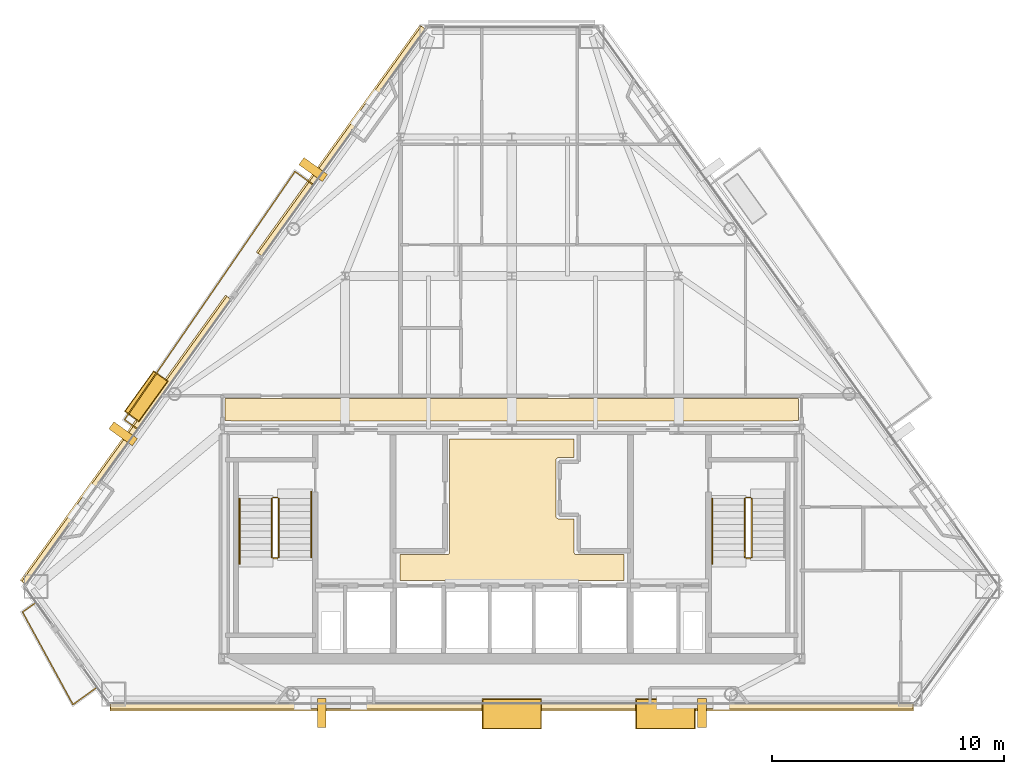
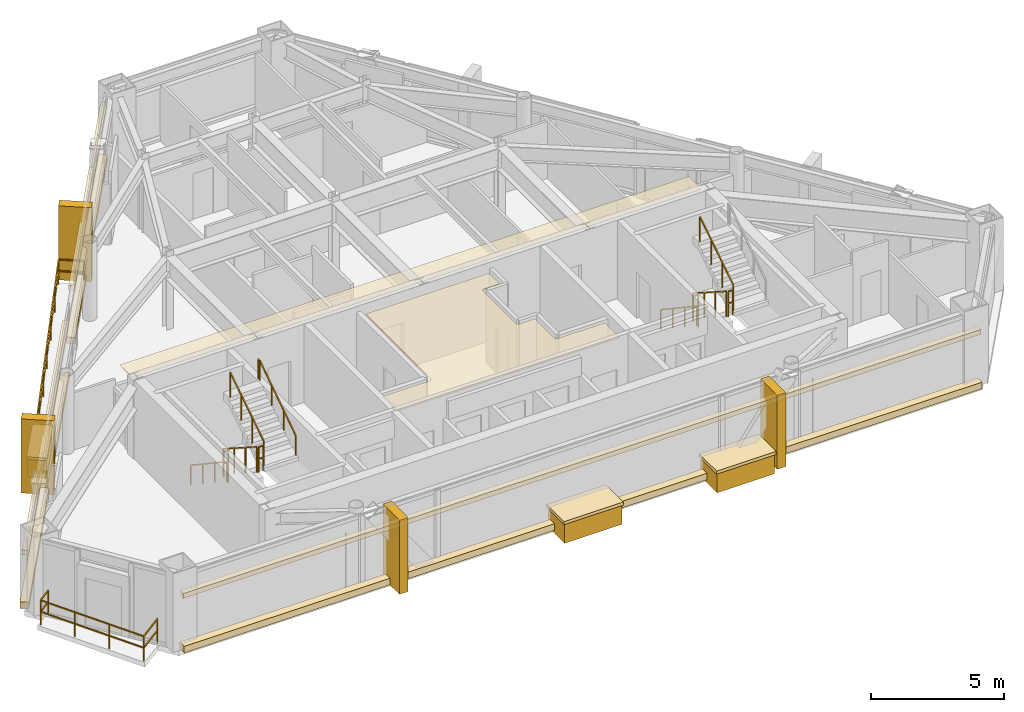
# One storey, part 10 of 11: 18 coverings, 13 railings.
"""IFC4 building model written with IfcOpenShell, lengths in metres."""

from ifc_helpers import new_model, si_unit, direction, frame, origin, origin_2d, place, context, subcontext, project, spatial, polyline, rectangle, outline, extrude, material, layer, layer_set, type_object, element, save


model = new_model("IFC4")

# Units and contexts
model_context = context("Model", 3, precision=1e-05, world=origin(), true_north=direction((0.0, 1.0)))
body_context = subcontext(model_context, "Body", "Model", "MODEL_VIEW")
ifc_project = project(units=[si_unit("LENGTHUNIT", "METRE"), si_unit("AREAUNIT", "SQUARE_METRE"), si_unit("VOLUMEUNIT", "CUBIC_METRE"), si_unit("PLANEANGLEUNIT", "RADIAN"), si_unit("MASSUNIT", "GRAM", prefix="KILO")], contexts=[model_context])

# Site, building, storey
site_placement = place(None, origin())
site = spatial("IfcSite", under=ifc_project, at=site_placement, CompositionType="ELEMENT")
building_placement = place(site_placement, origin())
building = spatial("IfcBuilding", under=site, at=building_placement, Name="Talgorran Terracotta Tower", CompositionType="ELEMENT")
storey_placement = place(building_placement, frame((0.0, 0.0, 196.5)))
storey = spatial("IfcBuildingStorey", under=building, at=storey_placement, Name="L51", CompositionType="ELEMENT", Elevation=196.5)

# Coverings
ifc_material_1 = material(Name="Kiln-Fired Terracotta Ochre Ceramic", Category="masonry")
ifc_layer_1 = layer(ifc_material_1, 0.179931640625, Name="COV_BAGUETTE_TERRACOTTA_SCREEN")
ifc_layer_set_1 = layer_set([ifc_layer_1], Name="Kiln-Fired Terracotta Ochre Ceramic")
covering_type_1 = type_object("IfcCoveringType", Name="COV_BAGUETTE_TERRACOTTA_SCREEN", PredefinedType="CLADDING", material=ifc_layer_set_1)
covering_1_placement = place(storey_placement, frame((0.0, -16.14111328125, 2.41015625), z_axis=(0.0, 0.0, 1.0), x_axis=(1.0, 0.0, 0.0)))
element("IfcCovering", 1, at=covering_1_placement, inside=storey, type_object=covering_type_1, Name="L51 Terracotta Baguette Solar Screen Assembly F1", PredefinedType="CLADDING", context=body_context, shape_type="SweptSolid", body=[
    extrude(rectangle(XDim=34.62939453125, YDim=0.260009765625, at=origin_2d()), origin(), (0.0, 0.0, 1.0), 0.219970703125),
])
covering_2_placement = place(storey_placement, frame((-7.324951171875, 8.21142578125, 2.41015625), z_axis=(0.0, 0.0, 1.0), x_axis=(-0.583980505394, -0.811767681864, 0.0)))
element("IfcCovering", 2, at=covering_2_placement, inside=storey, type_object=covering_type_1, Name="L51 Terracotta Baguette Solar Screen Assembly F60", PredefinedType="CLADDING", context=body_context, shape_type="SweptSolid", body=[
    extrude(rectangle(XDim=12.0634765625, YDim=0.260009765625, at=origin_2d()), origin(), (0.0, 0.0, 1.0), 0.219970703125),
])
covering_3_placement = place(storey_placement, frame((-16.6123046875, -4.6982421875, 2.41015625), z_axis=(0.0, 0.0, 1.0), x_axis=(-0.583980505394, -0.811767681864, 0.0)))
element("IfcCovering", 3, at=covering_3_placement, inside=storey, type_object=covering_type_1, Name="L51 Terracotta Baguette Solar Screen Assembly F61", PredefinedType="CLADDING", context=body_context, shape_type="SweptSolid", body=[
    extrude(rectangle(XDim=15.142822265625, YDim=0.260009765625, at=origin_2d()), origin(), (0.0, 0.0, 1.0), 0.219970703125),
])
ifc_material_2 = material(Name="Mineral Fibre Acoustic Tile")
ifc_layer_2 = layer(ifc_material_2, 0.02490234375, Name="COV_CEIL_ACOUSTIC")
ifc_layer_set_2 = layer_set([ifc_layer_2], Name="Mineral Fibre Acoustic Tile")
covering_type_2 = type_object("IfcCoveringType", Name="COV_CEIL_ACOUSTIC", PredefinedType="CEILING", material=ifc_layer_set_2)
covering_4_placement = place(storey_placement, frame((0.0, 0.0, 3.260009765625)))
element("IfcCovering", 4, at=covering_4_placement, inside=storey, type_object=covering_type_2, Name="CEIL-L51-2", PredefinedType="CEILING", context=body_context, shape_type="SweptSolid", body=[
    extrude(outline(polyline([(-12.364990234375, -2.885009765625), (12.364990234375, -2.885009765625), (12.364990234375, -3.830078125), (12.169921875, -3.830078125), (12.158203125, -3.83056640625), (12.146484375, -3.832275390625), (12.13525390625, -3.835205078125), (12.1240234375, -3.839111328125), (12.11328125, -3.84423828125), (12.112060546875, -3.844970703125), (7.432861328125, -3.844970703125), (6.968017578125, -3.843017578125), (6.967529296875, -3.843017578125), (0.232666015625, -3.844970703125), (-0.23193359375, -3.843017578125), (-0.232421875, -3.843017578125), (-6.96728515625, -3.844970703125), (-7.431884765625, -3.843017578125), (-7.4326171875, -3.843017578125), (-12.112060546875, -3.844970703125), (-12.11328125, -3.84423828125), (-12.1240234375, -3.839111328125), (-12.13525390625, -3.835205078125), (-12.146484375, -3.832275390625), (-12.158203125, -3.83056640625), (-12.169921875, -3.830078125), (-12.364990234375, -3.830078125), (-12.364990234375, -2.885009765625)])), origin(), (0.0, 0.0, 1.0), 0.02001953125),
])
ifc_material_3 = material(Name="Flush Moisture-Resistant Plaster")
ifc_layer_3 = layer(ifc_material_3, 0.01806640625, Name="COV_CEIL_PLASTER")
ifc_layer_set_3 = layer_set([ifc_layer_3], Name="Flush Moisture-Resistant Plaster")
covering_type_3 = type_object("IfcCoveringType", Name="COV_CEIL_PLASTER", PredefinedType="CEILING", material=ifc_layer_set_3)
covering_5_placement = place(storey_placement, frame((0.0, 0.0, 3.260009765625)))
element("IfcCovering", 5, at=covering_5_placement, inside=storey, type_object=covering_type_3, Name="CEIL-L51-1", PredefinedType="CEILING", context=body_context, shape_type="SweptSolid", body=[
    extrude(outline(polyline([(4.830078125, -9.6201171875), (4.830078125, -10.72998046875), (-4.830078125, -10.72998046875), (-4.830078125, -9.6201171875), (-2.800048828125, -9.6201171875), (-2.7880859375, -9.619384765625), (-2.776611328125, -9.61767578125), (-2.76513671875, -9.61474609375), (-2.754150390625, -9.61083984375), (-2.743408203125, -9.605712890625), (-2.7333984375, -9.599853515625), (-2.723876953125, -9.5927734375), (-2.715087890625, -9.5849609375), (-2.707275390625, -9.576171875), (-2.7001953125, -9.566650390625), (-2.694091796875, -9.556640625), (-2.689208984375, -9.5458984375), (-2.685302734375, -9.534912109375), (-2.682373046875, -9.5234375), (-2.6806640625, -9.51171875), (-2.679931640625, -9.5), (-2.679931640625, -4.6201171875), (2.679931640625, -4.6201171875), (2.679931640625, -5.429931640625), (2.02001953125, -5.429931640625), (2.00830078125, -5.4306640625), (1.99658203125, -5.432373046875), (1.985107421875, -5.435302734375), (1.97412109375, -5.439208984375), (1.96337890625, -5.444091796875), (1.953369140625, -5.4501953125), (1.94384765625, -5.457275390625), (1.93505859375, -5.465087890625), (1.92724609375, -5.473876953125), (1.920166015625, -5.4833984375), (1.914306640625, -5.493408203125), (1.9091796875, -5.504150390625), (1.9052734375, -5.51513671875), (1.90234375, -5.526611328125), (1.900634765625, -5.5380859375), (1.89990234375, -5.550048828125), (1.89990234375, -7.949951171875), (1.900634765625, -7.9619140625), (1.90234375, -7.973388671875), (1.9052734375, -7.98486328125), (1.9091796875, -7.995849609375), (1.914306640625, -8.006591796875), (1.920166015625, -8.0166015625), (1.92724609375, -8.026123046875), (1.93505859375, -8.034912109375), (1.94384765625, -8.042724609375), (1.953369140625, -8.0498046875), (1.96337890625, -8.055908203125), (1.97412109375, -8.060791015625), (1.985107421875, -8.064697265625), (1.99658203125, -8.067626953125), (2.00830078125, -8.0693359375), (2.02001953125, -8.070068359375), (2.679931640625, -8.070068359375), (2.679931640625, -9.5), (2.6806640625, -9.51171875), (2.682373046875, -9.5234375), (2.685302734375, -9.534912109375), (2.689208984375, -9.5458984375), (2.694091796875, -9.556640625), (2.7001953125, -9.566650390625), (2.707275390625, -9.576171875), (2.715087890625, -9.5849609375), (2.723876953125, -9.5927734375), (2.7333984375, -9.599853515625), (2.743408203125, -9.605712890625), (2.754150390625, -9.61083984375), (2.76513671875, -9.61474609375), (2.776611328125, -9.61767578125), (2.7880859375, -9.619384765625), (2.800048828125, -9.6201171875), (4.830078125, -9.6201171875)])), origin(), (0.0, 0.0, 1.0), 0.02001953125),
])
ifc_material_4 = material(Name="Honed Limestone and Terracotta Planter", Category="masonry")
ifc_layer_4 = layer(ifc_material_4, 0.1201171875, Name="COV_PLANTER_BOX")
ifc_layer_set_4 = layer_set([ifc_layer_4], Name="Honed Limestone and Terracotta Planter")
covering_type_4 = type_object("IfcCoveringType", Name="COV_PLANTER_BOX", PredefinedType="CLADDING", material=ifc_layer_set_4)
for number, where, z_axis, x_axis, name in (
    (6, (0.0, -16.481201171875, -0.179931640625), (0.0, 0.0, 1.0), (1.0, 0.0, 0.0), "L51 Staggered South Facade Planter Box 1"),
    (7, (6.629638671875, -16.481201171875, -0.179931640625), (0.0, 0.0, 1.0), (1.0, 0.0, 0.0), "L51 Staggered South Facade Planter Box 2"),
):
    element("IfcCovering", number, at=place(storey_placement, frame(where, z_axis=z_axis, x_axis=x_axis)), inside=storey, type_object=covering_type_4, Name=name, PredefinedType="CLADDING", context=body_context, shape_type="SweptSolid", body=[
        extrude(rectangle(XDim=2.5, YDim=1.25, at=origin_2d()), origin(), (0.0, 0.0, 1.0), 0.919921875),
    ])
covering_6_placement = place(storey_placement, frame((-15.77001953125, -2.782470703125, -0.02001953125), z_axis=(0.0, 0.0, 1.0), x_axis=(-0.583980505394, -0.811767681864, 0.0)))
element("IfcCovering", 8, at=covering_6_placement, inside=storey, type_object=covering_type_4, Name="L51 Staggered Balcony Planter Box BAL-NW", PredefinedType="CLADDING", context=body_context, shape_type="SweptSolid", body=[
    extrude(rectangle(XDim=2.10009765625, YDim=0.719970703125, at=origin_2d()), origin(), (0.0, 0.0, 1.0), 0.860107421875),
])
ifc_material_5 = material(Name="Kiln-Fired Terracotta Planter Rim", Category="masonry")
ifc_layer_5 = layer(ifc_material_5, 0.10009765625, Name="COV_PLANTER_RIM")
ifc_layer_set_5 = layer_set([ifc_layer_5], Name="Kiln-Fired Terracotta Planter Rim")
covering_type_5 = type_object("IfcCoveringType", Name="COV_PLANTER_RIM", PredefinedType="CLADDING", material=ifc_layer_set_5)
for number, where, z_axis, x_axis, name in (
    (9, (0.0, -16.481201171875, 0.7099609375), (0.0, 0.0, 1.0), (1.0, 0.0, 0.0), "L51 South Planter Terracotta Rim 1"),
    (10, (6.629638671875, -16.481201171875, 0.7099609375), (0.0, 0.0, 1.0), (1.0, 0.0, 0.0), "L51 South Planter Terracotta Rim 2"),
):
    element("IfcCovering", number, at=place(storey_placement, frame(where, z_axis=z_axis, x_axis=x_axis)), inside=storey, type_object=covering_type_5, Name=name, PredefinedType="CLADDING", context=body_context, shape_type="SweptSolid", body=[
        extrude(rectangle(XDim=2.580078125, YDim=1.320068359375, at=origin_2d()), origin(), (0.0, 0.0, 1.0), 0.139892578125),
    ])
covering_7_placement = place(storey_placement, frame((-15.77001953125, -2.782470703125, 0.800048828125), z_axis=(0.0, 0.0, 1.0), x_axis=(-0.583980505394, -0.811767681864, 0.0)))
element("IfcCovering", 11, at=covering_7_placement, inside=storey, type_object=covering_type_5, Name="L51 Balcony Planter Terracotta Rim BAL-NW", PredefinedType="CLADDING", context=body_context, shape_type="SweptSolid", body=[
    extrude(rectangle(XDim=2.179931640625, YDim=0.780029296875, at=origin_2d()), origin(), (0.0, 0.0, 1.0), 0.1201171875),
])
ifc_material_6 = material(Name="Honed Limestone Cladding", Category="masonry")
ifc_layer_6 = layer(ifc_material_6, 0.094970703125, Name="COV_PORTAL_LIME")
ifc_layer_set_6 = layer_set([ifc_layer_6], Name="Honed Limestone Cladding")
covering_type_6 = type_object("IfcCoveringType", Name="COV_PORTAL_LIME", PredefinedType="CLADDING", material=ifc_layer_set_6)
for number, where, z_axis, x_axis, name in (
    (12, (-8.19970703125, -16.441162109375, -0.050048828125), (0.0, 0.0, 1.0), (1.0, 0.0, 0.0), "L51 White Striped Portal Fin F1-1"),
    (13, (-8.569091796875, 6.995849609375, -0.050048828125), (0.0, 0.0, 1.0), (-0.583980505394, -0.811767681864, 0.0), "L51 White Striped Portal Fin F5-1"),
):
    element("IfcCovering", number, at=place(storey_placement, frame(where, z_axis=z_axis, x_axis=x_axis)), inside=storey, type_object=covering_type_6, Name=name, PredefinedType="CLADDING", context=body_context, shape_type="SweptSolid", body=[
        extrude(rectangle(XDim=0.3798828125, YDim=1.25, at=origin_2d()), origin(), (0.0, 0.0, 1.0), 3.39990234375),
    ])
ifc_material_7 = material(Name="Kiln-Fired Terracotta Cladding", Category="masonry")
ifc_layer_7 = layer(ifc_material_7, 0.090087890625, Name="COV_PORTAL_TERRA")
ifc_layer_set_7 = layer_set([ifc_layer_7], Name="Kiln-Fired Terracotta Cladding")
covering_type_7 = type_object("IfcCoveringType", Name="COV_PORTAL_TERRA", PredefinedType="CLADDING", material=ifc_layer_set_7)
covering_8_placement = place(storey_placement, frame((0.0, -16.18115234375, -0.0400390625), z_axis=(0.0, 0.0, 1.0), x_axis=(1.0, 0.0, 0.0)))
element("IfcCovering", 14, at=covering_8_placement, inside=storey, type_object=covering_type_7, Name="L51 Striped Postmodern Portal Cladding Band F1", PredefinedType="CLADDING", context=body_context, shape_type="SweptSolid", body=[
    extrude(rectangle(XDim=34.6494140625, YDim=0.340087890625, at=origin_2d()), origin(), (0.0, 0.0, 1.0), 0.300048828125),
])
covering_9_placement = place(storey_placement, frame((-7.357421875, 8.23486328125, -0.0400390625), z_axis=(0.0, 0.0, 1.0), x_axis=(-0.583980505394, -0.811767681864, 0.0)))
element("IfcCovering", 15, at=covering_9_placement, inside=storey, type_object=covering_type_7, Name="L51 Striped Postmodern Portal Cladding Band F60", PredefinedType="CLADDING", context=body_context, shape_type="SweptSolid", body=[
    extrude(rectangle(XDim=12.08349609375, YDim=0.340087890625, at=origin_2d()), origin(), (0.0, 0.0, 1.0), 0.300048828125),
])
covering_10_placement = place(storey_placement, frame((-16.644775390625, -4.6748046875, -0.0400390625), z_axis=(0.0, 0.0, 1.0), x_axis=(-0.583980505394, -0.811767681864, 0.0)))
element("IfcCovering", 16, at=covering_10_placement, inside=storey, type_object=covering_type_7, Name="L51 Striped Postmodern Portal Cladding Band F61", PredefinedType="CLADDING", context=body_context, shape_type="SweptSolid", body=[
    extrude(rectangle(XDim=15.162841796875, YDim=0.340087890625, at=origin_2d()), origin(), (0.0, 0.0, 1.0), 0.300048828125),
])
for number, where, z_axis, x_axis, name in (
    (17, (8.19970703125, -16.441162109375, -0.050048828125), (0.0, 0.0, 1.0), (1.0, 0.0, 0.0), "L51 Terracotta Striped Portal Fin F1-2"),
    (18, (-16.768798828125, -4.402099609375, -0.050048828125), (0.0, 0.0, 1.0), (-0.583980505394, -0.811767681864, 0.0), "L51 Terracotta Striped Portal Fin F5-2"),
):
    element("IfcCovering", number, at=place(storey_placement, frame(where, z_axis=z_axis, x_axis=x_axis)), inside=storey, type_object=covering_type_7, Name=name, PredefinedType="CLADDING", context=body_context, shape_type="SweptSolid", body=[
        extrude(rectangle(XDim=0.3798828125, YDim=1.25, at=origin_2d()), origin(), (0.0, 0.0, 1.0), 3.39990234375),
    ])

# Railings
ifc_material_8 = material(Name="Laminated Glass and Stainless Steel 316", Category="steel")
railing_type_1 = type_object("IfcRailingType", Name="RL_BALCONY_1150", PredefinedType="BALUSTRADE", material=ifc_material_8)
railing_1_placement = place(storey_placement, frame((-8.569091796875, 6.34521484375, 0.0)))
element("IfcRailing", 19, at=railing_1_placement, inside=storey, type_object=railing_type_1, Name="RL-L51-BAL-BAL-NW", PredefinedType="BALUSTRADE", context=body_context, shape_type="SweptSolid", body=[
    extrude(rectangle(XDim=0.048095703125, YDim=0.048095703125, at=origin_2d()), frame((0.0, 0.0, 1.1259765625), z_axis=(-0.811682670639, 0.58409865792, 0.0), x_axis=(-0.58409865792, -0.811682670639, 0.0)), (0.0, 0.0, 1.0), 0.967529296875),
    extrude(rectangle(XDim=0.048095703125, YDim=0.048095703125, at=origin_2d()), frame((0.0, 0.0, 0.597900390625), z_axis=(-0.811682670639, 0.58409865792, 0.0), x_axis=(-0.58409865792, -0.811682670639, 0.0)), (0.0, 0.0, 1.0), 0.967529296875),
    extrude(rectangle(XDim=0.048095703125, YDim=0.048095703125, at=origin_2d()), frame((-0.785400390625, 0.565185546875, 1.1259765625), z_axis=(-0.566164184219, -0.824292494511, 0.0), x_axis=(0.824292494511, -0.566164184219, 0.0)), (0.0, 0.0, 1.0), 12.98779296875),
    extrude(rectangle(XDim=0.048095703125, YDim=0.048095703125, at=origin_2d()), frame((-0.785400390625, 0.565185546875, 0.597900390625), z_axis=(-0.566164184219, -0.824292494511, 0.0), x_axis=(0.824292494511, -0.566164184219, 0.0)), (0.0, 0.0, 1.0), 12.98779296875),
    extrude(rectangle(XDim=0.048095703125, YDim=0.048095703125, at=origin_2d()), frame((-8.138671875, -10.140625, 1.1259765625), z_axis=(0.811777705944, -0.583966571074, 0.0), x_axis=(0.583966571074, 0.811777705944, 0.0)), (0.0, 0.0, 1.0), 0.684814453125),
    extrude(rectangle(XDim=0.048095703125, YDim=0.048095703125, at=origin_2d()), frame((-8.138671875, -10.140625, 0.597900390625), z_axis=(0.811777705944, -0.583966571074, 0.0), x_axis=(0.583966571074, 0.811777705944, 0.0)), (0.0, 0.0, 1.0), 0.684814453125),
    extrude(rectangle(XDim=0.0419921875, YDim=0.0419921875, at=origin_2d()), origin(), (0.0, 0.0, 1.0), 1.101806640625),
    extrude(rectangle(XDim=0.0419921875, YDim=0.0419921875, at=origin_2d()), frame((-0.785400390625, 0.565185546875, 0.0)), (0.0, 0.0, 1.0), 1.101806640625),
    extrude(rectangle(XDim=0.0419921875, YDim=0.0419921875, at=origin_2d()), frame((-1.8359375, -0.964111328125, 0.0)), (0.0, 0.0, 1.0), 1.101806640625),
    extrude(rectangle(XDim=0.0419921875, YDim=0.0419921875, at=origin_2d()), frame((-2.88623046875, -2.49365234375, 0.0)), (0.0, 0.0, 1.0), 1.101806640625),
    extrude(rectangle(XDim=0.0419921875, YDim=0.0419921875, at=origin_2d()), frame((-3.936767578125, -4.02294921875, 0.0)), (0.0, 0.0, 1.0), 1.101806640625),
    extrude(rectangle(XDim=0.0419921875, YDim=0.0419921875, at=origin_2d()), frame((-4.9873046875, -5.552490234375, 0.0)), (0.0, 0.0, 1.0), 1.101806640625),
    extrude(rectangle(XDim=0.0419921875, YDim=0.0419921875, at=origin_2d()), frame((-6.037841796875, -7.081787109375, 0.0)), (0.0, 0.0, 1.0), 1.101806640625),
    extrude(rectangle(XDim=0.0419921875, YDim=0.0419921875, at=origin_2d()), frame((-7.088134765625, -8.611328125, 0.0)), (0.0, 0.0, 1.0), 1.101806640625),
    extrude(rectangle(XDim=0.0419921875, YDim=0.0419921875, at=origin_2d()), frame((-8.138671875, -10.140625, 0.0)), (0.0, 0.0, 1.0), 1.101806640625),
    extrude(rectangle(XDim=0.0419921875, YDim=0.0419921875, at=origin_2d()), frame((-7.582763671875, -10.54052734375, 0.0)), (0.0, 0.0, 1.0), 1.101806640625),
])
railing_2_placement = place(storey_placement, frame((-20.540283203125, -11.688720703125, 0.0)))
element("IfcRailing", 20, at=railing_2_placement, inside=storey, type_object=railing_type_1, Name="RL-L51-BAL-BAL-SW", PredefinedType="BALUSTRADE", context=body_context, shape_type="SweptSolid", body=[
    extrude(rectangle(XDim=0.048095703125, YDim=0.048095703125, at=origin_2d()), frame((0.0, 0.0, 1.1259765625), z_axis=(-0.811906374981, -0.583787665394, 0.0), x_axis=(0.583787665394, -0.811906374981, 0.0)), (0.0, 0.0, 1.0), 0.69677734375),
    extrude(rectangle(XDim=0.048095703125, YDim=0.048095703125, at=origin_2d()), frame((0.0, 0.0, 0.597900390625), z_axis=(-0.811906374981, -0.583787665394, 0.0), x_axis=(0.583787665394, -0.811906374981, 0.0)), (0.0, 0.0, 1.0), 0.69677734375),
    extrude(rectangle(XDim=0.048095703125, YDim=0.048095703125, at=origin_2d()), frame((-0.565673828125, -0.40673828125, 1.1259765625), z_axis=(0.478407759785, -0.878137811153, 0.0), x_axis=(0.878137811153, 0.478407759785, 0.0)), (0.0, 0.0, 1.0), 4.54296875),
    extrude(rectangle(XDim=0.048095703125, YDim=0.048095703125, at=origin_2d()), frame((-0.565673828125, -0.40673828125, 0.597900390625), z_axis=(0.478407759785, -0.878137811153, 0.0), x_axis=(0.878137811153, 0.478407759785, 0.0)), (0.0, 0.0, 1.0), 4.54296875),
    extrude(rectangle(XDim=0.048095703125, YDim=0.048095703125, at=origin_2d()), frame((1.607666015625, -4.39599609375, 1.1259765625), z_axis=(0.811820480844, 0.583907104668, 0.0), x_axis=(-0.583907104668, 0.811820480844, 0.0)), (0.0, 0.0, 1.0), 1.261962890625),
    extrude(rectangle(XDim=0.048095703125, YDim=0.048095703125, at=origin_2d()), frame((1.607666015625, -4.39599609375, 0.597900390625), z_axis=(0.811820480844, 0.583907104668, 0.0), x_axis=(-0.583907104668, 0.811820480844, 0.0)), (0.0, 0.0, 1.0), 1.261962890625),
    extrude(rectangle(XDim=0.0419921875, YDim=0.0419921875, at=origin_2d()), origin(), (0.0, 0.0, 1.0), 1.101806640625),
    extrude(rectangle(XDim=0.0419921875, YDim=0.0419921875, at=origin_2d()), frame((-0.565673828125, -0.40673828125, 0.0)), (0.0, 0.0, 1.0), 1.101806640625),
    extrude(rectangle(XDim=0.0419921875, YDim=0.0419921875, at=origin_2d()), frame((0.15869140625, -1.736572265625, 0.0)), (0.0, 0.0, 1.0), 1.101806640625),
    extrude(rectangle(XDim=0.0419921875, YDim=0.0419921875, at=origin_2d()), frame((0.88330078125, -3.066162109375, 0.0)), (0.0, 0.0, 1.0), 1.101806640625),
    extrude(rectangle(XDim=0.0419921875, YDim=0.0419921875, at=origin_2d()), frame((1.607666015625, -4.39599609375, 0.0)), (0.0, 0.0, 1.0), 1.101806640625),
    extrude(rectangle(XDim=0.0419921875, YDim=0.0419921875, at=origin_2d()), frame((2.632080078125, -3.6591796875, 0.0)), (0.0, 0.0, 1.0), 1.101806640625),
])
ifc_material_9 = material(Name="Steel S355 (300PLUS)", Category="steel")
railing_type_2 = type_object("IfcRailingType", Name="RL_HANDRAIL_920", PredefinedType="HANDRAIL", material=ifc_material_9)
railing_3_placement = place(storey_placement, frame((-11.75, -7.199951171875, 0.179931640625)))
element("IfcRailing", 21, at=railing_3_placement, inside=storey, type_object=railing_type_2, Name="L51 ST-01 stair handrail 1", PredefinedType="HANDRAIL", context=body_context, shape_type="SweptSolid", body=[
    extrude(rectangle(XDim=0.048095703125, YDim=0.048095703125, at=origin_2d()), frame((0.0, 0.0, 0.89599609375), z_axis=(0.0, -0.832038719335, 0.554717558338), x_axis=(1.0, 0.0, 0.0)), (0.0, 0.0, 1.0), 3.244873046875),
    extrude(rectangle(XDim=0.048095703125, YDim=0.048095703125, at=origin_2d()), frame((0.0, -2.699951171875, 2.69580078125), z_axis=(0.0, -1.0, 0.0), x_axis=(1.0, 0.0, 0.0)), (0.0, 0.0, 1.0), 0.1201171875),
    extrude(rectangle(XDim=0.0419921875, YDim=0.0419921875, at=origin_2d()), origin(), (0.0, 0.0, 1.0), 0.871826171875),
    extrude(rectangle(XDim=0.0419921875, YDim=0.0419921875, at=origin_2d()), frame((0.0, -0.89990234375, 0.60009765625)), (0.0, 0.0, 1.0), 0.871826171875),
    extrude(rectangle(XDim=0.0419921875, YDim=0.0419921875, at=origin_2d()), frame((0.0, -1.800048828125, 1.199951171875)), (0.0, 0.0, 1.0), 0.871826171875),
    extrude(rectangle(XDim=0.0419921875, YDim=0.0419921875, at=origin_2d()), frame((0.0, -2.699951171875, 1.800048828125)), (0.0, 0.0, 1.0), 0.871826171875),
    extrude(rectangle(XDim=0.0419921875, YDim=0.0419921875, at=origin_2d()), frame((0.0, -2.820068359375, 1.800048828125)), (0.0, 0.0, 1.0), 0.871826171875),
])
railing_4_placement = place(storey_placement, frame((-8.64990234375, -9.719970703125, 1.97998046875)))
element("IfcRailing", 22, at=railing_4_placement, inside=storey, type_object=railing_type_2, Name="L51 ST-01 stair handrail 2", PredefinedType="HANDRAIL", context=body_context, shape_type="SweptSolid", body=[
    extrude(rectangle(XDim=0.048095703125, YDim=0.048095703125, at=origin_2d()), frame((0.0, 0.0, 0.89599609375), z_axis=(0.0, 0.832038719335, 0.554717558338), x_axis=(-1.0, 0.0, 0.0)), (0.0, 0.0, 1.0), 3.244873046875),
    extrude(rectangle(XDim=0.048095703125, YDim=0.048095703125, at=origin_2d()), frame((0.0, 2.699951171875, 2.69580078125), z_axis=(0.0, 1.0, 0.0), x_axis=(-1.0, 0.0, 0.0)), (0.0, 0.0, 1.0), 0.1201171875),
    extrude(rectangle(XDim=0.0419921875, YDim=0.0419921875, at=origin_2d()), origin(), (0.0, 0.0, 1.0), 0.871826171875),
    extrude(rectangle(XDim=0.0419921875, YDim=0.0419921875, at=origin_2d()), frame((0.0, 0.89990234375, 0.60009765625)), (0.0, 0.0, 1.0), 0.871826171875),
    extrude(rectangle(XDim=0.0419921875, YDim=0.0419921875, at=origin_2d()), frame((0.0, 1.800048828125, 1.199951171875)), (0.0, 0.0, 1.0), 0.871826171875),
    extrude(rectangle(XDim=0.0419921875, YDim=0.0419921875, at=origin_2d()), frame((0.0, 2.699951171875, 1.800048828125)), (0.0, 0.0, 1.0), 0.871826171875),
    extrude(rectangle(XDim=0.0419921875, YDim=0.0419921875, at=origin_2d()), frame((0.0, 2.820068359375, 1.800048828125)), (0.0, 0.0, 1.0), 0.871826171875),
])
railing_5_placement = place(storey_placement, frame((8.64990234375, -7.199951171875, 0.179931640625)))
element("IfcRailing", 23, at=railing_5_placement, inside=storey, type_object=railing_type_2, Name="L51 ST-02 stair handrail 1", PredefinedType="HANDRAIL", context=body_context, shape_type="SweptSolid", body=[
    extrude(rectangle(XDim=0.048095703125, YDim=0.048095703125, at=origin_2d()), frame((0.0, 0.0, 0.89599609375), z_axis=(0.0, -0.832038719335, 0.554717558338), x_axis=(1.0, 0.0, 0.0)), (0.0, 0.0, 1.0), 3.244873046875),
    extrude(rectangle(XDim=0.048095703125, YDim=0.048095703125, at=origin_2d()), frame((0.0, -2.699951171875, 2.69580078125), z_axis=(0.0, -1.0, 0.0), x_axis=(1.0, 0.0, 0.0)), (0.0, 0.0, 1.0), 0.1201171875),
    extrude(rectangle(XDim=0.0419921875, YDim=0.0419921875, at=origin_2d()), origin(), (0.0, 0.0, 1.0), 0.871826171875),
    extrude(rectangle(XDim=0.0419921875, YDim=0.0419921875, at=origin_2d()), frame((0.0, -0.89990234375, 0.60009765625)), (0.0, 0.0, 1.0), 0.871826171875),
    extrude(rectangle(XDim=0.0419921875, YDim=0.0419921875, at=origin_2d()), frame((0.0, -1.800048828125, 1.199951171875)), (0.0, 0.0, 1.0), 0.871826171875),
    extrude(rectangle(XDim=0.0419921875, YDim=0.0419921875, at=origin_2d()), frame((0.0, -2.699951171875, 1.800048828125)), (0.0, 0.0, 1.0), 0.871826171875),
    extrude(rectangle(XDim=0.0419921875, YDim=0.0419921875, at=origin_2d()), frame((0.0, -2.820068359375, 1.800048828125)), (0.0, 0.0, 1.0), 0.871826171875),
])
railing_type_3 = type_object("IfcRailingType", Name="RL_STAIR_GUARD", PredefinedType="GUARDRAIL", material=ifc_material_9)
railing_6_placement = place(storey_placement, frame((-10.35009765625, -7.199951171875, 0.179931640625)))
element("IfcRailing", 24, at=railing_6_placement, inside=storey, type_object=railing_type_3, Name="L51 ST-01 stair guard 1", PredefinedType="GUARDRAIL", context=body_context, shape_type="SweptSolid", body=[
    extrude(rectangle(XDim=0.048095703125, YDim=0.048095703125, at=origin_2d()), frame((0.0, 0.0, 1.15576171875), z_axis=(0.0, -0.841162588446, 0.540782303519), x_axis=(1.0, 0.0, 0.0)), (0.0, 0.0, 1.0), 2.995849609375),
    extrude(rectangle(XDim=0.0419921875, YDim=0.0419921875, at=origin_2d()), origin(), (0.0, 0.0, 1.0), 1.1318359375),
    extrude(rectangle(XDim=0.0419921875, YDim=0.0419921875, at=origin_2d()), frame((0.0, -0.840087890625, 0.5400390625)), (0.0, 0.0, 1.0), 1.1318359375),
    extrude(rectangle(XDim=0.0419921875, YDim=0.0419921875, at=origin_2d()), frame((0.0, -1.679931640625, 1.080078125)), (0.0, 0.0, 1.0), 1.1318359375),
    extrude(rectangle(XDim=0.0419921875, YDim=0.0419921875, at=origin_2d()), frame((0.0, -2.52001953125, 1.6201171875)), (0.0, 0.0, 1.0), 1.1318359375),
])
railing_7_placement = place(storey_placement, frame((-10.300048828125, -9.77001953125, 1.800048828125)))
element("IfcRailing", 25, at=railing_7_placement, inside=storey, type_object=railing_type_3, Name="L51 ST-01 stair guard 2", PredefinedType="GUARDRAIL", context=body_context, shape_type="SweptSolid", body=[
    extrude(rectangle(XDim=0.048095703125, YDim=0.048095703125, at=origin_2d()), frame((0.0, 0.0, 1.15576171875), z_axis=(1.0, 0.0, 0.0), x_axis=(0.0, 1.0, 0.0)), (0.0, 0.0, 1.0), 0.199951171875),
    extrude(rectangle(XDim=0.048095703125, YDim=0.048095703125, at=origin_2d()), frame((0.0, 0.0, 0.613525390625), z_axis=(1.0, 0.0, 0.0), x_axis=(0.0, 1.0, 0.0)), (0.0, 0.0, 1.0), 0.199951171875),
    extrude(rectangle(XDim=0.0419921875, YDim=0.0419921875, at=origin_2d()), origin(), (0.0, 0.0, 1.0), 1.1318359375),
    extrude(rectangle(XDim=0.0419921875, YDim=0.0419921875, at=origin_2d()), frame((0.199951171875, 0.0, 0.0)), (0.0, 0.0, 1.0), 1.1318359375),
])
railing_8_placement = place(storey_placement, frame((-10.050048828125, -9.719970703125, 1.97998046875)))
element("IfcRailing", 26, at=railing_8_placement, inside=storey, type_object=railing_type_3, Name="L51 ST-01 stair guard 3", PredefinedType="GUARDRAIL", context=body_context, shape_type="SweptSolid", body=[
    extrude(rectangle(XDim=0.048095703125, YDim=0.048095703125, at=origin_2d()), frame((0.0, 0.0, 1.15576171875), z_axis=(0.0, 0.841162588446, 0.540782303519), x_axis=(-1.0, 0.0, 0.0)), (0.0, 0.0, 1.0), 2.995849609375),
    extrude(rectangle(XDim=0.0419921875, YDim=0.0419921875, at=origin_2d()), origin(), (0.0, 0.0, 1.0), 1.1318359375),
    extrude(rectangle(XDim=0.0419921875, YDim=0.0419921875, at=origin_2d()), frame((0.0, 0.840087890625, 0.5400390625)), (0.0, 0.0, 1.0), 1.1318359375),
    extrude(rectangle(XDim=0.0419921875, YDim=0.0419921875, at=origin_2d()), frame((0.0, 1.679931640625, 1.080078125)), (0.0, 0.0, 1.0), 1.1318359375),
    extrude(rectangle(XDim=0.0419921875, YDim=0.0419921875, at=origin_2d()), frame((0.0, 2.52001953125, 1.6201171875)), (0.0, 0.0, 1.0), 1.1318359375),
])
railing_9_placement = place(storey_placement, frame((-10.300048828125, -7.14990234375, 0.0)))
element("IfcRailing", 27, at=railing_9_placement, inside=storey, type_object=railing_type_3, Name="L51 ST-01 stair guard 4", PredefinedType="GUARDRAIL", context=body_context, shape_type="SweptSolid", body=[
    extrude(rectangle(XDim=0.048095703125, YDim=0.048095703125, at=origin_2d()), frame((0.0, 0.0, 1.15576171875), z_axis=(1.0, 0.0, 0.0), x_axis=(0.0, 1.0, 0.0)), (0.0, 0.0, 1.0), 0.199951171875),
    extrude(rectangle(XDim=0.048095703125, YDim=0.048095703125, at=origin_2d()), frame((0.0, 0.0, 0.613525390625), z_axis=(1.0, 0.0, 0.0), x_axis=(0.0, 1.0, 0.0)), (0.0, 0.0, 1.0), 0.199951171875),
    extrude(rectangle(XDim=0.0419921875, YDim=0.0419921875, at=origin_2d()), origin(), (0.0, 0.0, 1.0), 1.1318359375),
    extrude(rectangle(XDim=0.0419921875, YDim=0.0419921875, at=origin_2d()), frame((0.199951171875, 0.0, 0.0)), (0.0, 0.0, 1.0), 1.1318359375),
])
railing_10_placement = place(storey_placement, frame((10.050048828125, -7.199951171875, 0.179931640625)))
element("IfcRailing", 28, at=railing_10_placement, inside=storey, type_object=railing_type_3, Name="L51 ST-02 stair guard 1", PredefinedType="GUARDRAIL", context=body_context, shape_type="SweptSolid", body=[
    extrude(rectangle(XDim=0.048095703125, YDim=0.048095703125, at=origin_2d()), frame((0.0, 0.0, 1.15576171875), z_axis=(0.0, -0.841162588446, 0.540782303519), x_axis=(1.0, 0.0, 0.0)), (0.0, 0.0, 1.0), 2.995849609375),
    extrude(rectangle(XDim=0.0419921875, YDim=0.0419921875, at=origin_2d()), origin(), (0.0, 0.0, 1.0), 1.1318359375),
    extrude(rectangle(XDim=0.0419921875, YDim=0.0419921875, at=origin_2d()), frame((0.0, -0.840087890625, 0.5400390625)), (0.0, 0.0, 1.0), 1.1318359375),
    extrude(rectangle(XDim=0.0419921875, YDim=0.0419921875, at=origin_2d()), frame((0.0, -1.679931640625, 1.080078125)), (0.0, 0.0, 1.0), 1.1318359375),
    extrude(rectangle(XDim=0.0419921875, YDim=0.0419921875, at=origin_2d()), frame((0.0, -2.52001953125, 1.6201171875)), (0.0, 0.0, 1.0), 1.1318359375),
])
railing_11_placement = place(storey_placement, frame((10.10009765625, -9.77001953125, 1.800048828125)))
element("IfcRailing", 29, at=railing_11_placement, inside=storey, type_object=railing_type_3, Name="L51 ST-02 stair guard 2", PredefinedType="GUARDRAIL", context=body_context, shape_type="SweptSolid", body=[
    extrude(rectangle(XDim=0.048095703125, YDim=0.048095703125, at=origin_2d()), frame((0.0, 0.0, 1.15576171875), z_axis=(1.0, 0.0, 0.0), x_axis=(0.0, 1.0, 0.0)), (0.0, 0.0, 1.0), 0.199951171875),
    extrude(rectangle(XDim=0.048095703125, YDim=0.048095703125, at=origin_2d()), frame((0.0, 0.0, 0.613525390625), z_axis=(1.0, 0.0, 0.0), x_axis=(0.0, 1.0, 0.0)), (0.0, 0.0, 1.0), 0.199951171875),
    extrude(rectangle(XDim=0.0419921875, YDim=0.0419921875, at=origin_2d()), origin(), (0.0, 0.0, 1.0), 1.1318359375),
    extrude(rectangle(XDim=0.0419921875, YDim=0.0419921875, at=origin_2d()), frame((0.199951171875, 0.0, 0.0)), (0.0, 0.0, 1.0), 1.1318359375),
])
railing_12_placement = place(storey_placement, frame((10.35009765625, -9.719970703125, 1.97998046875)))
element("IfcRailing", 30, at=railing_12_placement, inside=storey, type_object=railing_type_3, Name="L51 ST-02 stair guard 3", PredefinedType="GUARDRAIL", context=body_context, shape_type="SweptSolid", body=[
    extrude(rectangle(XDim=0.048095703125, YDim=0.048095703125, at=origin_2d()), frame((0.0, 0.0, 1.15576171875), z_axis=(0.0, 0.841162588446, 0.540782303519), x_axis=(-1.0, 0.0, 0.0)), (0.0, 0.0, 1.0), 2.995849609375),
    extrude(rectangle(XDim=0.0419921875, YDim=0.0419921875, at=origin_2d()), origin(), (0.0, 0.0, 1.0), 1.1318359375),
    extrude(rectangle(XDim=0.0419921875, YDim=0.0419921875, at=origin_2d()), frame((0.0, 0.840087890625, 0.5400390625)), (0.0, 0.0, 1.0), 1.1318359375),
    extrude(rectangle(XDim=0.0419921875, YDim=0.0419921875, at=origin_2d()), frame((0.0, 1.679931640625, 1.080078125)), (0.0, 0.0, 1.0), 1.1318359375),
    extrude(rectangle(XDim=0.0419921875, YDim=0.0419921875, at=origin_2d()), frame((0.0, 2.52001953125, 1.6201171875)), (0.0, 0.0, 1.0), 1.1318359375),
])
railing_13_placement = place(storey_placement, frame((10.10009765625, -7.14990234375, 0.0)))
element("IfcRailing", 31, at=railing_13_placement, inside=storey, type_object=railing_type_3, Name="L51 ST-02 stair guard 4", PredefinedType="GUARDRAIL", context=body_context, shape_type="SweptSolid", body=[
    extrude(rectangle(XDim=0.048095703125, YDim=0.048095703125, at=origin_2d()), frame((0.0, 0.0, 1.15576171875), z_axis=(1.0, 0.0, 0.0), x_axis=(0.0, 1.0, 0.0)), (0.0, 0.0, 1.0), 0.199951171875),
    extrude(rectangle(XDim=0.048095703125, YDim=0.048095703125, at=origin_2d()), frame((0.0, 0.0, 0.613525390625), z_axis=(1.0, 0.0, 0.0), x_axis=(0.0, 1.0, 0.0)), (0.0, 0.0, 1.0), 0.199951171875),
    extrude(rectangle(XDim=0.0419921875, YDim=0.0419921875, at=origin_2d()), origin(), (0.0, 0.0, 1.0), 1.1318359375),
    extrude(rectangle(XDim=0.0419921875, YDim=0.0419921875, at=origin_2d()), frame((0.199951171875, 0.0, 0.0)), (0.0, 0.0, 1.0), 1.1318359375),
])

save(model, "model.ifc")
